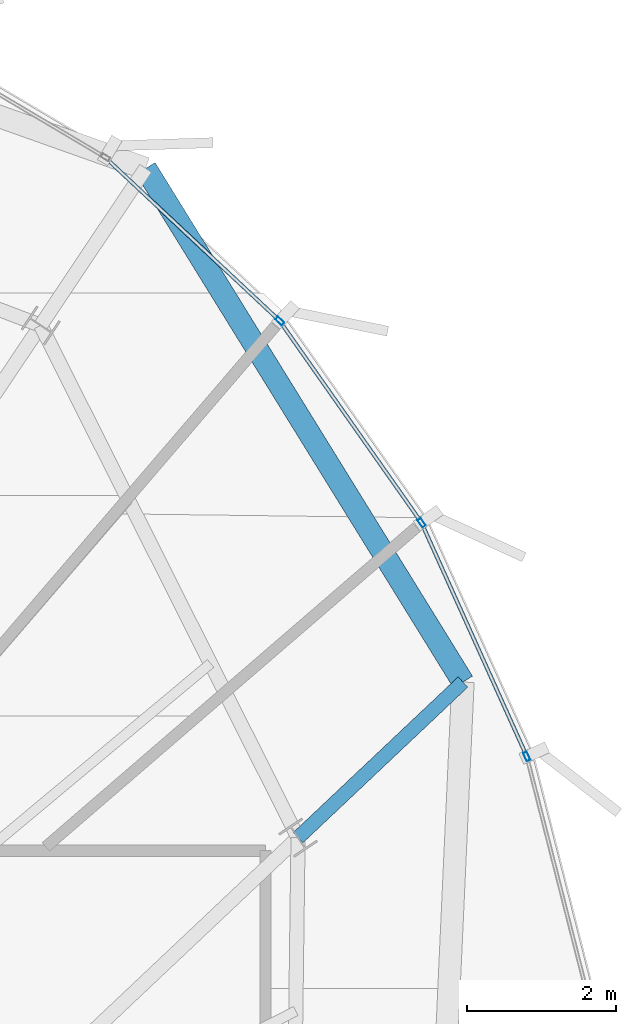
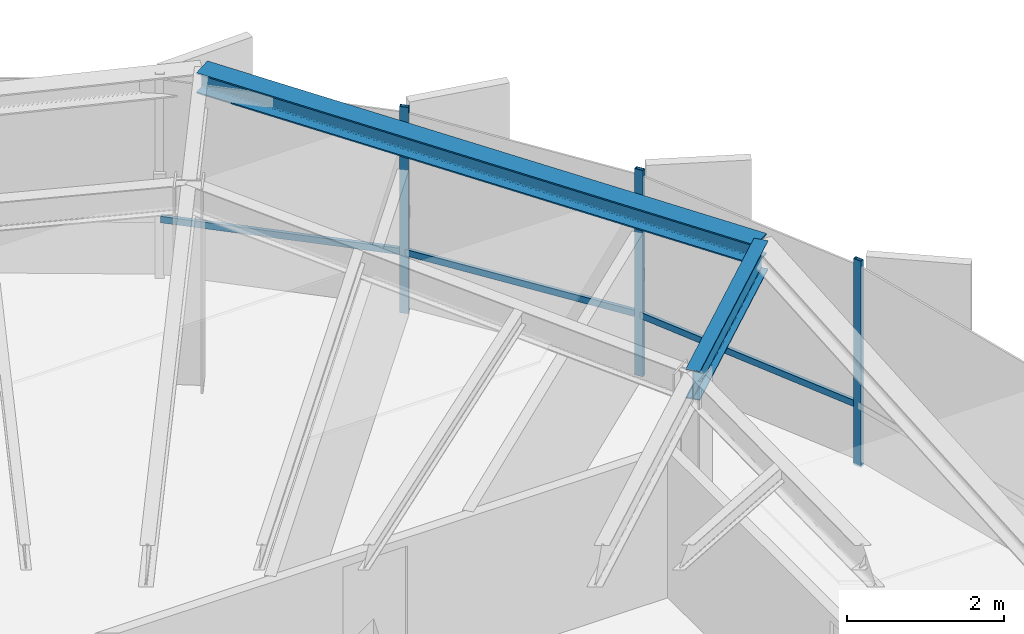
# One storey, part 22 of 30: 6 members, 2 beams, 1 element without a shape of its own.
"""IFC4 building model written with IfcOpenShell, lengths in metres."""

from ifc_helpers import new_model, si_unit, direction, frame, origin, origin_2d, place, context, subcontext, project, spatial, hollow_rectangle, i_section, extrude, source, transform, mapped, material, layer, layer_set, material_profile, profile_set, type_object, element, aggregate, save


model = new_model("IFC4")

# Units and contexts
model_context = context("Model", 3, precision=1e-05, world=origin(), true_north=direction((0.0, 1.0)))
body_context = subcontext(model_context, "Body", "Model", "MODEL_VIEW")
ifc_project = project(units=[si_unit("LENGTHUNIT", "METRE"), si_unit("AREAUNIT", "SQUARE_METRE"), si_unit("VOLUMEUNIT", "CUBIC_METRE"), si_unit("PLANEANGLEUNIT", "RADIAN"), si_unit("MASSUNIT", "GRAM", prefix="KILO"), si_unit("THERMODYNAMICTEMPERATUREUNIT", "KELVIN")], contexts=[model_context])

# Site, building, storey
site_placement = place(None, origin())
site = spatial("IfcSite", under=ifc_project, at=site_placement, CompositionType="ELEMENT")
building_placement = place(site_placement, origin())
building = spatial("IfcBuilding", under=site, at=building_placement, Name="Kethvar Cultural Tower", CompositionType="ELEMENT")
storey_placement = place(building_placement, frame((0.0, 0.0, 297.39990234375)))
storey = spatial("IfcBuildingStorey", under=building, at=storey_placement, Name="L79", CompositionType="ELEMENT", Elevation=297.39990234375)

# Beams
ifc_material_1 = material(Name="Steel S355J2", Category="steel")
ifc_material_profile_1 = material_profile(ifc_material_1, i_section(OverallWidth=0.18994140625, OverallDepth=0.449951171875, WebThickness=0.009521484375, FlangeThickness=0.0146484375, FilletRadius=0.02099609375, at=origin_2d()), Name="Steel S355J2 — IPE450")
ifc_profile_set_1 = profile_set([ifc_material_profile_1], Name="Steel S355J2 — IPE450")
beam_type_1 = type_object("IfcBeamType", Name="BM-IPE450", PredefinedType="BEAM", material=ifc_profile_set_1)
shared_shape_1 = source(origin(), body_context, "Body", "SweptSolid", [
    extrude(i_section(OverallWidth=0.18994140625, OverallDepth=0.449951171875, WebThickness=0.009521484375, FlangeThickness=0.0146484375, FilletRadius=0.02099609375, at=origin_2d()), origin(), (0.0, 0.0, 1.0), 3.04052734375),
])
beam_1_placement = place(storey_placement, frame((61.32568359375, 37.505859375, 2.983154296875), z_axis=(0.727169012035, 0.686458467743, 0.0), x_axis=(-0.686458467743, 0.727169012035, 0.0)))
element("IfcBeam", 1, at=beam_1_placement, inside=storey, type_object=beam_type_1, Name="L79 Perimeter Cantilever Beam RC-02", PredefinedType="BEAM", context=body_context, shape_type="MappedRepresentation", body=[
    mapped(shared_shape_1, transform((0.0, 0.0, 0.0), scale=1.0)),
])
ifc_material_profile_2 = material_profile(ifc_material_1, i_section(OverallWidth=0.300048828125, OverallDepth=0.320068359375, WebThickness=0.011474609375, FlangeThickness=0.0205078125, FilletRadius=0.027099609375, at=origin_2d()), Name="Steel S355J2 — HEB320")
ifc_profile_set_2 = profile_set([ifc_material_profile_2], Name="Steel S355J2 — HEB320")
beam_type_2 = type_object("IfcBeamType", Name="BM-SP320", PredefinedType="SPANDREL", material=ifc_profile_set_2)
shared_shape_2 = source(origin(), body_context, "Body", "SweptSolid", [
    extrude(i_section(OverallWidth=0.300048828125, OverallDepth=0.320068359375, WebThickness=0.011474609375, FlangeThickness=0.0205078125, FilletRadius=0.027099609375, at=origin_2d()), origin(), (0.0, 0.0, 1.0), 8.094970703125),
])
beam_2_placement = place(storey_placement, frame((63.53662109375, 39.593017578125, 3.048095703125), z_axis=(-0.525681643777, 0.850681379481, 0.0), x_axis=(-0.850681379481, -0.525681643777, 0.0)))
element("IfcBeam", 2, at=beam_2_placement, inside=storey, type_object=beam_type_2, Name="L79 Perimeter Spandrel Beam SP-02", PredefinedType="SPANDREL", context=body_context, shape_type="MappedRepresentation", body=[
    mapped(shared_shape_2, transform((0.0, 0.0, 0.0), scale=1.0)),
])

# Curtain wall, members
ifc_material_2 = material(Name="Aluminium 6063-T6", Category="aluminium")
ifc_layer = layer(ifc_material_2, 0.179931640625, Name="Aluminium 6063-T6", Category="aluminium")
ifc_layer_set = layer_set([ifc_layer], Name="Aluminium 6063-T6 (180 mm)")
curtain_wall_type = type_object("IfcCurtainWallType", Name="CW-SYS-05-Z56", PredefinedType="NOTDEFINED", material=ifc_layer_set)
curtain_wall_placement = place(storey_placement, origin())
curtain_wall = element("IfcCurtainWall", 3, at=curtain_wall_placement, inside=storey, type_object=curtain_wall_type, Name="L79 Curtain Wall Run 06", PredefinedType="NOTDEFINED")
ifc_material_profile_3 = material_profile(ifc_material_2, hollow_rectangle(XDim=0.054931640625, YDim=0.1201171875, WallThickness=0.00390625, at=origin_2d()), Name="Aluminium 6063-T6 — RHS120x55x4")
ifc_profile_set_3 = profile_set([ifc_material_profile_3], Name="Aluminium 6063-T6 — RHS120x55x4")
member_type_1 = type_object("IfcMemberType", Name="CW-SYS-05-Z56-MUL", PredefinedType="MULLION", material=ifc_profile_set_3)
shared_shape_3 = source(origin(), body_context, "Body", "SweptSolid", [
    extrude(hollow_rectangle(XDim=0.054931640625, YDim=0.1201171875, WallThickness=0.00390625, at=origin_2d()), origin(), (0.0, 0.0, 1.0), 3.210205078125),
])
member_1_placement = place(storey_placement, frame((64.392822265625, 38.59521484375, 0.0), z_axis=(0.0, 0.0, 1.0), x_axis=(-0.911640140709, -0.410989359775, 0.0)))
member_1 = element("IfcMember", 4, at=member_1_placement, type_object=member_type_1, Name="CW-L79-R06 Mullion 3", PredefinedType="MULLION", context=body_context, shape_type="MappedRepresentation", body=[
    mapped(shared_shape_3, transform((0.0, 0.0, 0.0), scale=1.0)),
])
member_2_placement = place(storey_placement, frame((62.982666015625, 41.727783203125, 0.0), z_axis=(0.0, 0.0, 1.0), x_axis=(-0.817928870952, -0.575319356587, 0.0)))
member_2 = element("IfcMember", 5, at=member_2_placement, type_object=member_type_1, Name="CW-L79-R06 Mullion 4", PredefinedType="MULLION", context=body_context, shape_type="MappedRepresentation", body=[
    mapped(shared_shape_3, transform((0.0, 0.0, 0.0), scale=1.0)),
])
member_3_placement = place(storey_placement, frame((61.081298828125, 44.434326171875, 0.0), z_axis=(0.0, 0.0, 1.0), x_axis=(-0.683528606764, -0.729923724601, 0.0)))
member_3 = element("IfcMember", 6, at=member_3_placement, type_object=member_type_1, Name="CW-L79-R06 Mullion 5", PredefinedType="MULLION", context=body_context, shape_type="MappedRepresentation", body=[
    mapped(shared_shape_3, transform((0.0, 0.0, 0.0), scale=1.0)),
])
ifc_material_profile_4 = material_profile(ifc_material_2, hollow_rectangle(XDim=0.050048828125, YDim=0.10009765625, WallThickness=0.00390625, at=origin_2d()), Name="Aluminium 6063-T6 — RHS100x50x4")
ifc_profile_set_4 = profile_set([ifc_material_profile_4], Name="Aluminium 6063-T6 — RHS100x50x4")
member_type_2 = type_object("IfcMemberType", Name="CW-SYS-05-Z56-TRN", PredefinedType="USERDEFINED", material=ifc_profile_set_4)
shared_shape_4 = source(origin(), body_context, "Body", "SweptSolid", [
    extrude(hollow_rectangle(XDim=0.050048828125, YDim=0.10009765625, WallThickness=0.00390625, at=origin_2d()), origin(), (0.0, 0.0, 1.0), 3.375),
])
member_4_placement = place(storey_placement, frame((64.376708984375, 38.63134765625, 0.9501953125), z_axis=(-0.411032315369, 0.911620774073, 0.0), x_axis=(-0.911620774073, -0.411032315369, 0.0)))
member_4 = element("IfcMember", 7, at=member_4_placement, type_object=member_type_2, Name="CW-L79-R06 Transom 3", ObjectType="TRANSOM", PredefinedType="USERDEFINED", context=body_context, shape_type="MappedRepresentation", body=[
    mapped(shared_shape_4, transform((0.0, 0.0, 0.0), scale=1.0)),
])
shared_shape_5 = source(origin(), body_context, "Body", "SweptSolid", [
    extrude(hollow_rectangle(XDim=0.050048828125, YDim=0.10009765625, WallThickness=0.00390625, at=origin_2d()), origin(), (0.0, 0.0, 1.0), 3.2490234375),
])
member_5_placement = place(storey_placement, frame((62.9599609375, 41.760009765625, 0.9501953125), z_axis=(-0.575301670016, 0.817941311145, 0.0), x_axis=(-0.817941311145, -0.575301670016, 0.0)))
member_5 = element("IfcMember", 8, at=member_5_placement, type_object=member_type_2, Name="CW-L79-R06 Transom 4", ObjectType="TRANSOM", PredefinedType="USERDEFINED", context=body_context, shape_type="MappedRepresentation", body=[
    mapped(shared_shape_5, transform((0.0, 0.0, 0.0), scale=1.0)),
])
shared_shape_6 = source(origin(), body_context, "Body", "SweptSolid", [
    extrude(hollow_rectangle(XDim=0.050048828125, YDim=0.10009765625, WallThickness=0.00390625, at=origin_2d()), origin(), (0.0, 0.0, 1.0), 3.146728515625),
])
member_6_placement = place(storey_placement, frame((61.052490234375, 44.46142578125, 0.9501953125), z_axis=(-0.729924208183, 0.683528090358, 0.0), x_axis=(-0.683528090358, -0.729924208183, 0.0)))
member_6 = element("IfcMember", 9, at=member_6_placement, type_object=member_type_2, Name="CW-L79-R06 Transom 5", ObjectType="TRANSOM", PredefinedType="USERDEFINED", context=body_context, shape_type="MappedRepresentation", body=[
    mapped(shared_shape_6, transform((0.0, 0.0, 0.0), scale=1.0)),
])
aggregate(curtain_wall, [member_1, member_2, member_3, member_4, member_5, member_6])

save(model, "model.ifc")
